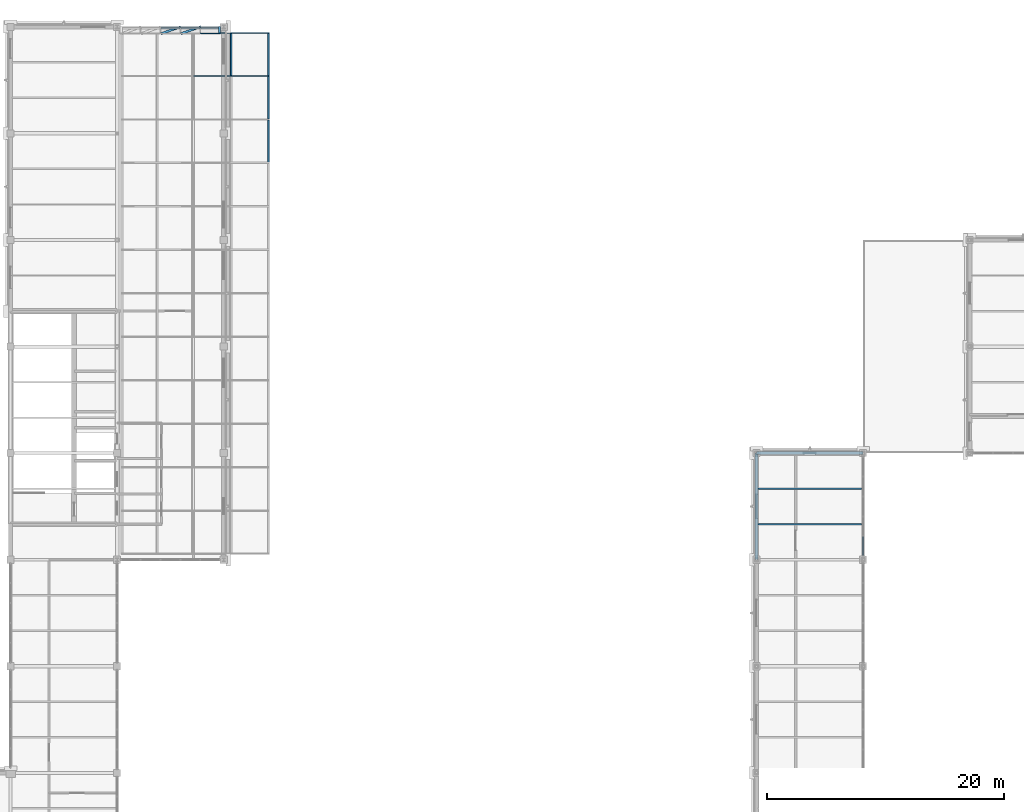
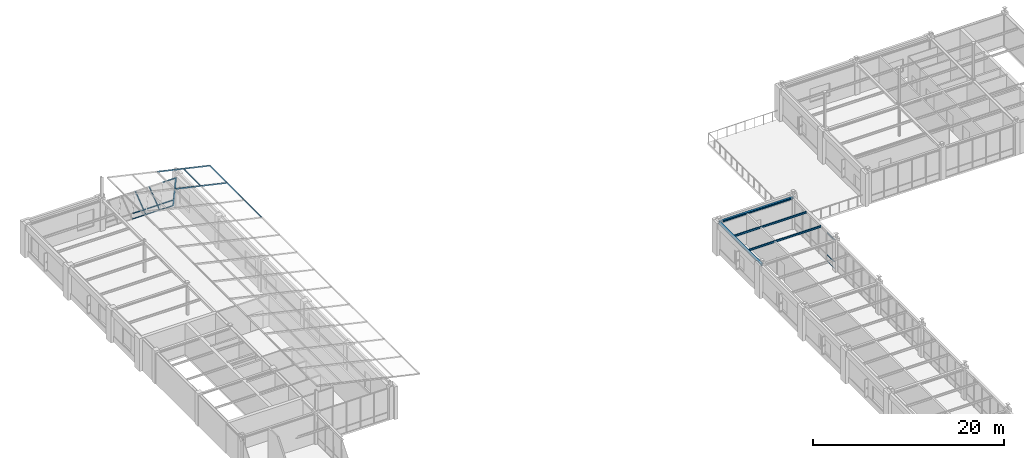
# One storey, part 57 of 97: 19 members, 4 beams, 3 elements without a shape of their own.
"""IFC4 building model written with IfcOpenShell, lengths in metres."""

from ifc_helpers import new_model, si_unit, direction, frame, origin, origin_2d, place, context, subcontext, project, spatial, hollow_rectangle, i_section, extrude, material, material_profile, profile_set, type_object, element, aggregate, save


model = new_model("IFC4")

# Units and contexts
model_context = context("Model", 3, precision=1e-05, world=origin(), true_north=direction((0.0, 1.0)))
body_context = subcontext(model_context, "Body", "Model", "MODEL_VIEW")
ifc_project = project(units=[si_unit("LENGTHUNIT", "METRE"), si_unit("AREAUNIT", "SQUARE_METRE"), si_unit("VOLUMEUNIT", "CUBIC_METRE"), si_unit("PLANEANGLEUNIT", "RADIAN"), si_unit("MASSUNIT", "GRAM", prefix="KILO")], contexts=[model_context])

# Site, building, storey
site_placement = place(None, origin())
site = spatial("IfcSite", under=ifc_project, at=site_placement, CompositionType="ELEMENT")
building_placement = place(site_placement, origin())
building = spatial("IfcBuilding", under=site, at=building_placement, Name="Lykobir Media Centre", CompositionType="ELEMENT")
storey_placement = place(building_placement, frame((0.0, 0.0, 23.39990234375)))
storey = spatial("IfcBuildingStorey", under=building, at=storey_placement, Name="L05", CompositionType="ELEMENT", Elevation=23.39990234375)

# Curtain wall, members
ifc_material_1 = material(Name="Anodized Aluminium AW-6060", Category="aluminium")
curtain_wall_type_1 = type_object("IfcCurtainWallType", Name="CW-V6-CR5", PredefinedType="NOTDEFINED", material=ifc_material_1)
curtain_wall_1_placement = place(storey_placement, origin())
curtain_wall_1 = element("IfcCurtainWall", 1, at=curtain_wall_1_placement, inside=storey, type_object=curtain_wall_type_1, Name="Curtain wall CW2-L05-0200", PredefinedType="NOTDEFINED")
ifc_material_profile_1 = material_profile(ifc_material_1, hollow_rectangle(XDim=0.074951171875, YDim=0.179931640625, WallThickness=0.00390625, at=origin_2d()), Name="ALU MULLION 75x180")
ifc_profile_set_1 = profile_set([ifc_material_profile_1], Name="Anodized Aluminium AW-6060")
member_type_1 = type_object("IfcMemberType", Name="CWM-180", PredefinedType="MULLION", material=ifc_profile_set_1)
member_1_placement = place(storey_placement, frame((41.339111328125, 108.0, 0.0), z_axis=(-0.374608937664, -0.132261746965, 0.917700917572), x_axis=(0.865349139519, 0.305525515866, 0.397271979742)))
member_1 = element("IfcMember", 2, at=member_1_placement, type_object=member_type_1, Name="CW2-L05-0200 mullion 4", PredefinedType="MULLION", context=body_context, shape_type="SweptSolid", body=[
    extrude(hollow_rectangle(XDim=0.074951171875, YDim=0.179931640625, WallThickness=0.00390625, at=origin_2d()), origin(), (0.0, 0.0, 1.0), 4.29345703125),
])
member_2_placement = place(storey_placement, frame((43.01708984375, 108.0, 0.0), z_axis=(-0.374608937664, -0.132261746965, 0.917700917572), x_axis=(0.865349139519, 0.305525515866, 0.397271979742)))
member_2 = element("IfcMember", 3, at=member_2_placement, type_object=member_type_1, Name="CW2-L05-0200 mullion 5", PredefinedType="MULLION", context=body_context, shape_type="SweptSolid", body=[
    extrude(hollow_rectangle(XDim=0.074951171875, YDim=0.179931640625, WallThickness=0.00390625, at=origin_2d()), origin(), (0.0, 0.0, 1.0), 4.29345703125),
])
member_3_placement = place(storey_placement, frame((44.657470703125, 108.0, 0.0), z_axis=(0.0, -0.142649034949, 0.989773334066), x_axis=(0.0, 0.989773334066, 0.142649034949)))
member_3 = element("IfcMember", 4, at=member_3_placement, type_object=member_type_1, Name="CW2-L05-0200 mullion 6", PredefinedType="MULLION", context=body_context, shape_type="SweptSolid", body=[
    extrude(hollow_rectangle(XDim=0.074951171875, YDim=0.179931640625, WallThickness=0.00390625, at=origin_2d()), origin(), (0.0, 0.0, 1.0), 3.98095703125),
])

curtain_wall_type_2 = type_object("IfcCurtainWallType", Name="CW-COURT-B", PredefinedType="NOTDEFINED", material=ifc_material_1)
curtain_wall_2_placement = place(storey_placement, origin())
curtain_wall_2 = element("IfcCurtainWall", 5, at=curtain_wall_2_placement, inside=storey, type_object=curtain_wall_type_2, Name="Curtain wall CW2-L05-0186", PredefinedType="NOTDEFINED")
ifc_material_profile_2 = material_profile(ifc_material_1, hollow_rectangle(XDim=0.054931640625, YDim=0.094970703125, WallThickness=0.0029296875, at=origin_2d()), Name="ALU TRANSOM 55x95")
ifc_profile_set_2 = profile_set([ifc_material_profile_2], Name="Anodized Aluminium AW-6060")
member_type_2 = type_object("IfcMemberType", Name="CWT-095", PredefinedType="USERDEFINED", material=ifc_profile_set_2)
member_4_placement = place(storey_placement, frame((99.0, 64.95556640625, 0.027587890625), z_axis=(0.0, -1.0, 0.0), x_axis=(1.0, 0.0, 0.0)))
member_4 = element("IfcMember", 6, at=member_4_placement, type_object=member_type_2, Name="CW2-L05-0186 transom 5.1", ObjectType="TRANSOM", PredefinedType="USERDEFINED", context=body_context, shape_type="SweptSolid", body=[
    extrude(hollow_rectangle(XDim=0.054931640625, YDim=0.094970703125, WallThickness=0.0029296875, at=origin_2d()), origin(), (0.0, 0.0, 1.0), 1.595458984375),
])
member_5_placement = place(storey_placement, frame((99.0, 64.95556640625, 0.85009765625), z_axis=(0.0, -1.0, 0.0), x_axis=(1.0, 0.0, 0.0)))
member_5 = element("IfcMember", 7, at=member_5_placement, type_object=member_type_2, Name="CW2-L05-0186 transom 5.2", ObjectType="TRANSOM", PredefinedType="USERDEFINED", context=body_context, shape_type="SweptSolid", body=[
    extrude(hollow_rectangle(XDim=0.054931640625, YDim=0.094970703125, WallThickness=0.0029296875, at=origin_2d()), origin(), (0.0, 0.0, 1.0), 1.595458984375),
])
member_6_placement = place(storey_placement, frame((99.0, 64.95556640625, 3.66748046875), z_axis=(0.0, -1.0, 0.0), x_axis=(1.0, 0.0, 0.0)))
member_6 = element("IfcMember", 8, at=member_6_placement, type_object=member_type_2, Name="CW2-L05-0186 transom 5.3", ObjectType="TRANSOM", PredefinedType="USERDEFINED", context=body_context, shape_type="SweptSolid", body=[
    extrude(hollow_rectangle(XDim=0.054931640625, YDim=0.094970703125, WallThickness=0.0029296875, at=origin_2d()), origin(), (0.0, 0.0, 1.0), 1.595458984375),
])
aggregate(curtain_wall_2, [member_4, member_5, member_6])

# Member
ifc_material_profile_3 = material_profile(ifc_material_1, hollow_rectangle(XDim=0.074951171875, YDim=0.14990234375, WallThickness=0.00341796875, at=origin_2d()), Name="ALU TRANSOM 75x150")
ifc_profile_set_3 = profile_set([ifc_material_profile_3], Name="Anodized Aluminium AW-6060")
member_type_3 = type_object("IfcMemberType", Name="CWT-150", PredefinedType="USERDEFINED", material=ifc_profile_set_3)
member_7_placement = place(storey_placement, frame((39.698486328125, 107.99462890625, 0.037109375), z_axis=(1.0, 0.0, 0.0), x_axis=(0.0, 0.989776230908, 0.142628933706)))
member_7 = element("IfcMember", 9, at=member_7_placement, type_object=member_type_3, Name="CW2-L05-0200 transom 3.1", ObjectType="TRANSOM", PredefinedType="USERDEFINED", context=body_context, shape_type="SweptSolid", body=[
    extrude(hollow_rectangle(XDim=0.074951171875, YDim=0.14990234375, WallThickness=0.00341796875, at=origin_2d()), origin(), (0.0, 0.0, 1.0), 1.60302734375),
])

member_8_placement = place(storey_placement, frame((39.698486328125, 107.87890625, 0.84130859375), z_axis=(1.0, 0.0, 0.0), x_axis=(0.0, 0.989776230908, 0.142628933706)))
member_8 = element("IfcMember", 10, at=member_8_placement, type_object=member_type_3, Name="CW2-L05-0200 transom 3.2", ObjectType="TRANSOM", PredefinedType="USERDEFINED", context=body_context, shape_type="SweptSolid", body=[
    extrude(hollow_rectangle(XDim=0.074951171875, YDim=0.14990234375, WallThickness=0.00341796875, at=origin_2d()), origin(), (0.0, 0.0, 1.0), 1.60302734375),
])

member_9_placement = place(storey_placement, frame((41.37646484375, 107.99462890625, 0.037109375), z_axis=(1.0, 0.0, 0.0), x_axis=(0.0, 0.989776230908, 0.142628933706)))
member_9 = element("IfcMember", 11, at=member_9_placement, type_object=member_type_3, Name="CW2-L05-0200 transom 4.1", ObjectType="TRANSOM", PredefinedType="USERDEFINED", context=body_context, shape_type="SweptSolid", body=[
    extrude(hollow_rectangle(XDim=0.074951171875, YDim=0.14990234375, WallThickness=0.00341796875, at=origin_2d()), origin(), (0.0, 0.0, 1.0), 1.60302734375),
])

member_10_placement = place(storey_placement, frame((41.37646484375, 107.87890625, 0.84130859375), z_axis=(1.0, 0.0, 0.0), x_axis=(0.0, 0.989776230908, 0.142628933706)))
member_10 = element("IfcMember", 12, at=member_10_placement, type_object=member_type_3, Name="CW2-L05-0200 transom 4.2", ObjectType="TRANSOM", PredefinedType="USERDEFINED", context=body_context, shape_type="SweptSolid", body=[
    extrude(hollow_rectangle(XDim=0.074951171875, YDim=0.14990234375, WallThickness=0.00341796875, at=origin_2d()), origin(), (0.0, 0.0, 1.0), 1.60302734375),
])

member_11_placement = place(storey_placement, frame((43.054443359375, 107.99462890625, 0.037109375), z_axis=(1.0, 0.0, 0.0), x_axis=(0.0, 0.989776230908, 0.142628933706)))
member_11 = element("IfcMember", 13, at=member_11_placement, type_object=member_type_3, Name="CW2-L05-0200 transom 5.1", ObjectType="TRANSOM", PredefinedType="USERDEFINED", context=body_context, shape_type="SweptSolid", body=[
    extrude(hollow_rectangle(XDim=0.074951171875, YDim=0.14990234375, WallThickness=0.00341796875, at=origin_2d()), origin(), (0.0, 0.0, 1.0), 1.565673828125),
])

member_12_placement = place(storey_placement, frame((43.054443359375, 107.87890625, 0.84130859375), z_axis=(1.0, 0.0, 0.0), x_axis=(0.0, 0.989776230908, 0.142628933706)))
member_12 = element("IfcMember", 14, at=member_12_placement, type_object=member_type_3, Name="CW2-L05-0200 transom 5.2", ObjectType="TRANSOM", PredefinedType="USERDEFINED", context=body_context, shape_type="SweptSolid", body=[
    extrude(hollow_rectangle(XDim=0.074951171875, YDim=0.14990234375, WallThickness=0.00341796875, at=origin_2d()), origin(), (0.0, 0.0, 1.0), 1.565673828125),
])

member_13_placement = place(storey_placement, frame((43.054443359375, 107.4375, 3.903076171875), z_axis=(1.0, 0.0, 0.0), x_axis=(0.0, 0.989776230908, 0.142628933706)))
member_13 = element("IfcMember", 15, at=member_13_placement, type_object=member_type_3, Name="CW2-L05-0200 transom 5.3", ObjectType="TRANSOM", PredefinedType="USERDEFINED", context=body_context, shape_type="SweptSolid", body=[
    extrude(hollow_rectangle(XDim=0.074951171875, YDim=0.14990234375, WallThickness=0.00341796875, at=origin_2d()), origin(), (0.0, 0.0, 1.0), 1.565673828125),
])

aggregate(curtain_wall_1, [member_1, member_2, member_3, member_7, member_8, member_9, member_10, member_11, member_12, member_13])

# Curtain wall, members
curtain_wall_type_3 = type_object("IfcCurtainWallType", Name="CW-V6-SKY", PredefinedType="NOTDEFINED", material=ifc_material_1)
curtain_wall_3_placement = place(storey_placement, origin())
curtain_wall_3 = element("IfcCurtainWall", 16, at=curtain_wall_3_placement, inside=storey, type_object=curtain_wall_type_3, Name="Curtain wall CW-V6-SKY06", PredefinedType="NOTDEFINED")
member_14_placement = place(storey_placement, frame((48.834716796875, 107.482421875, 3.9873046875), z_axis=(-0.975255318588, 0.0, 0.221081576721), x_axis=(0.0, -1.0, 0.0)))
member_14 = element("IfcMember", 17, at=member_14_placement, type_object=member_type_3, Name="CW-V6-SKY06 rafter transom 1", ObjectType="TRANSOM", PredefinedType="USERDEFINED", context=body_context, shape_type="SweptSolid", body=[
    extrude(hollow_rectangle(XDim=0.074951171875, YDim=0.14990234375, WallThickness=0.00341796875, at=origin_2d()), origin(), (0.0, 0.0, 1.0), 6.591552734375),
])
member_15_placement = place(storey_placement, frame((48.834716796875, 103.85009765625, 3.9873046875), z_axis=(-0.975255318588, 0.0, 0.221081576721), x_axis=(0.0, -1.0, 0.0)))
member_15 = element("IfcMember", 18, at=member_15_placement, type_object=member_type_3, Name="CW-V6-SKY06 rafter transom 2", ObjectType="TRANSOM", PredefinedType="USERDEFINED", context=body_context, shape_type="SweptSolid", body=[
    extrude(hollow_rectangle(XDim=0.074951171875, YDim=0.14990234375, WallThickness=0.00341796875, at=origin_2d()), origin(), (0.0, 0.0, 1.0), 6.591552734375),
])
member_16_placement = place(storey_placement, frame((48.798095703125, 107.445068359375, 3.99560546875), z_axis=(0.0, -1.0, 0.0), x_axis=(0.221071923309, 0.0, 0.975257506879)))
member_16 = element("IfcMember", 19, at=member_16_placement, type_object=member_type_3, Name="CW-V6-SKY06 transom 1.1", ObjectType="TRANSOM", PredefinedType="USERDEFINED", context=body_context, shape_type="SweptSolid", body=[
    extrude(hollow_rectangle(XDim=0.074951171875, YDim=0.14990234375, WallThickness=0.00341796875, at=origin_2d()), origin(), (0.0, 0.0, 1.0), 3.5576171875),
])
member_17_placement = place(storey_placement, frame((45.62060546875, 107.445068359375, 4.7158203125), z_axis=(0.0, -1.0, 0.0), x_axis=(0.221071923309, 0.0, 0.975257506879)))
member_17 = element("IfcMember", 20, at=member_17_placement, type_object=member_type_3, Name="CW-V6-SKY06 transom 1.2", ObjectType="TRANSOM", PredefinedType="USERDEFINED", context=body_context, shape_type="SweptSolid", body=[
    extrude(hollow_rectangle(XDim=0.074951171875, YDim=0.14990234375, WallThickness=0.00341796875, at=origin_2d()), origin(), (0.0, 0.0, 1.0), 3.5576171875),
])
member_18_placement = place(storey_placement, frame((48.798095703125, 103.8125, 3.99560546875), z_axis=(0.0, -1.0, 0.0), x_axis=(0.221071923309, 0.0, 0.975257506879)))
member_18 = element("IfcMember", 21, at=member_18_placement, type_object=member_type_3, Name="CW-V6-SKY06 transom 2.1", ObjectType="TRANSOM", PredefinedType="USERDEFINED", context=body_context, shape_type="SweptSolid", body=[
    extrude(hollow_rectangle(XDim=0.074951171875, YDim=0.14990234375, WallThickness=0.00341796875, at=origin_2d()), origin(), (0.0, 0.0, 1.0), 3.594970703125),
])
member_19_placement = place(storey_placement, frame((48.798095703125, 100.142578125, 3.99560546875), z_axis=(0.0, -1.0, 0.0), x_axis=(0.221071923309, 0.0, 0.975257506879)))
member_19 = element("IfcMember", 22, at=member_19_placement, type_object=member_type_3, Name="CW-V6-SKY06 transom 3.1", ObjectType="TRANSOM", PredefinedType="USERDEFINED", context=body_context, shape_type="SweptSolid", body=[
    extrude(hollow_rectangle(XDim=0.074951171875, YDim=0.14990234375, WallThickness=0.00341796875, at=origin_2d()), origin(), (0.0, 0.0, 1.0), 3.594970703125),
])
aggregate(curtain_wall_3, [member_14, member_15, member_16, member_17, member_18, member_19])

# Beams
ifc_material_2 = material(Name="Steel S355", Category="steel")
ifc_material_profile_4 = material_profile(ifc_material_2, i_section(OverallWidth=0.1201171875, OverallDepth=0.239990234375, WebThickness=0.006103515625, FlangeThickness=0.009765625, at=origin_2d()), Name="IPE 240")
ifc_profile_set_4 = profile_set([ifc_material_profile_4], Name="Steel S355")
beam_type_1 = type_object("IfcBeamType", Name="JS-IPE240", PredefinedType="JOIST", material=ifc_profile_set_4)
for number, where, z_axis, x_axis, name in (
    (23, (90.1201171875, 66.0, 3.860107421875), (1.0, 0.0, 0.0), (0.0, 1.0, 0.0), "Beam BM-L05-0901-0660-0989-0660-2726"),
    (24, (90.1201171875, 69.0, 3.860107421875), (1.0, 0.0, 0.0), (0.0, 1.0, 0.0), "Beam BM-L05-0901-0690-0989-0690-2726"),
):
    element("IfcBeam", number, at=place(storey_placement, frame(where, z_axis=z_axis, x_axis=x_axis)), inside=storey, type_object=beam_type_1, Name=name, PredefinedType="JOIST", context=body_context, shape_type="SweptSolid", body=[
        extrude(i_section(OverallWidth=0.1201171875, OverallDepth=0.239990234375, WebThickness=0.006103515625, FlangeThickness=0.009765625, at=origin_2d()), origin(), (0.0, 0.0, 1.0), 8.739990234375),
    ])
ifc_material_profile_5 = material_profile(ifc_material_2, i_section(OverallWidth=0.239990234375, OverallDepth=0.22998046875, WebThickness=0.007568359375, FlangeThickness=0.011962890625, at=origin_2d()), Name="HEA 240")
ifc_profile_set_5 = profile_set([ifc_material_profile_5], Name="Steel S355")
beam_type_2 = type_object("IfcBeamType", Name="SP-HEA240", PredefinedType="SPANDREL", material=ifc_profile_set_5)
beam_1_placement = place(storey_placement, frame((90.0, 72.0, 3.864990234375), z_axis=(1.0, 0.0, 0.0), x_axis=(0.0, 1.0, 0.0)))
element("IfcBeam", 25, at=beam_1_placement, inside=storey, type_object=beam_type_2, Name="Beam BM-L05-0900-0720-0990-0720-2726", PredefinedType="SPANDREL", context=body_context, shape_type="SweptSolid", body=[
    extrude(i_section(OverallWidth=0.239990234375, OverallDepth=0.22998046875, WebThickness=0.007568359375, FlangeThickness=0.011962890625, at=origin_2d()), origin(), (0.0, 0.0, 1.0), 9.0),
])
ifc_material_profile_6 = material_profile(ifc_material_2, i_section(OverallWidth=0.239990234375, OverallDepth=0.22998046875, WebThickness=0.007568359375, FlangeThickness=0.011962890625, at=origin_2d()), Name="HEA 240")
ifc_profile_set_6 = profile_set([ifc_material_profile_6], Name="Steel S355")
beam_type_3 = type_object("IfcBeamType", Name="SP-HEA240-E", PredefinedType="SPANDREL", material=ifc_profile_set_6)
beam_2_placement = place(storey_placement, frame((90.0, 63.0, 3.864990234375), z_axis=(0.0, 1.0, 0.0), x_axis=(-1.0, 0.0, 0.0)))
element("IfcBeam", 26, at=beam_2_placement, inside=storey, type_object=beam_type_3, Name="Beam BM-L05-0900-0630-0900-0720-2726", PredefinedType="SPANDREL", context=body_context, shape_type="SweptSolid", body=[
    extrude(i_section(OverallWidth=0.239990234375, OverallDepth=0.22998046875, WebThickness=0.007568359375, FlangeThickness=0.011962890625, at=origin_2d()), origin(), (0.0, 0.0, 1.0), 9.0),
])

save(model, "model.ifc")
